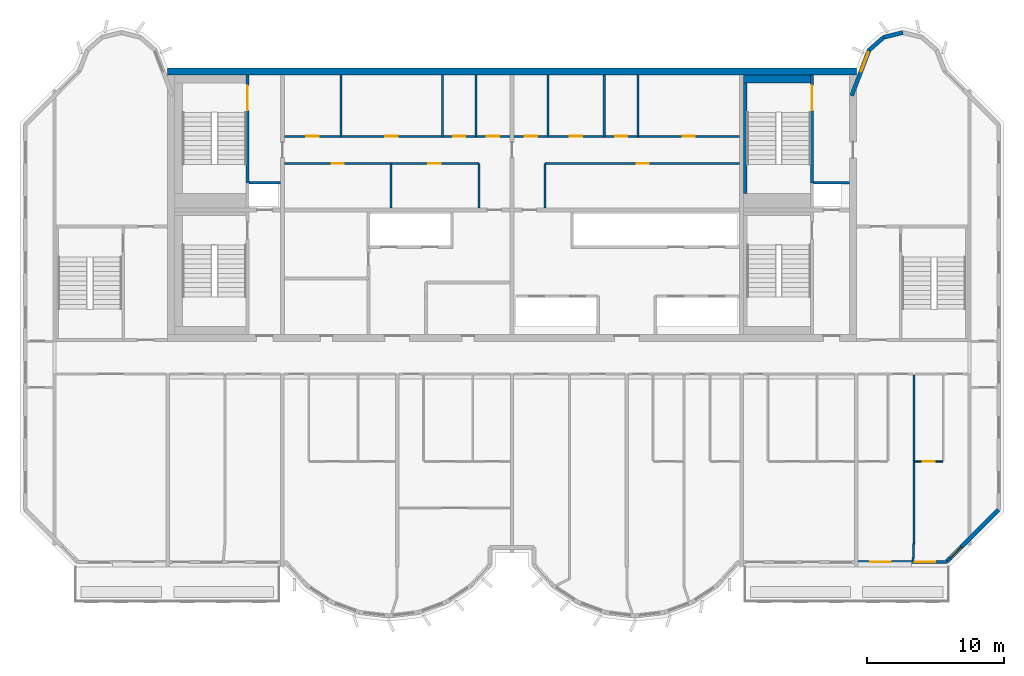
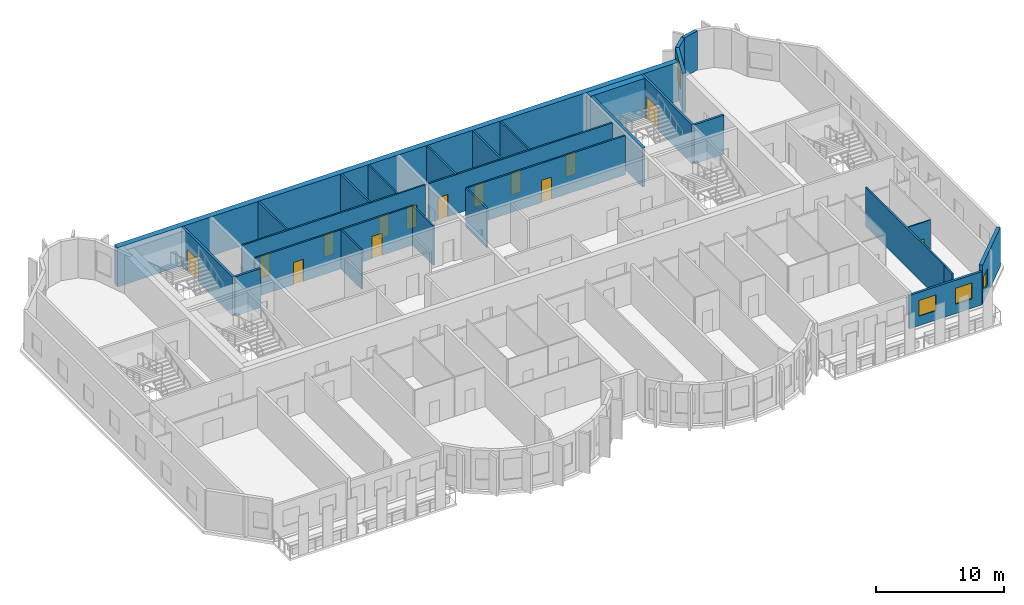
# One storey, part 7 of 12: 28 walls, 14 doors, 4 windows, 18 openings.
"""IFC4 building model written with IfcOpenShell, lengths in metres."""

from ifc_helpers import new_model, si_unit, direction, frame, frame_2d, origin, place, context, subcontext, project, spatial, rectangle, extrude, source, transform, mapped, material, layer, layer_set, type_object, element, fill, save


model = new_model("IFC4")

# Units and contexts
model_context = context("Model", 3, precision=1e-05, world=origin(), true_north=direction((0.0, 1.0)))
body_context = subcontext(model_context, "Body", "Model", "MODEL_VIEW")
ifc_project = project(units=[si_unit("LENGTHUNIT", "METRE"), si_unit("AREAUNIT", "SQUARE_METRE"), si_unit("VOLUMEUNIT", "CUBIC_METRE"), si_unit("PLANEANGLEUNIT", "RADIAN"), si_unit("MASSUNIT", "GRAM", prefix="KILO")], contexts=[model_context])

# Site, building, storey
site_placement = place(None, origin())
site = spatial("IfcSite", under=ifc_project, at=site_placement, CompositionType="ELEMENT")
building_placement = place(site_placement, origin())
building = spatial("IfcBuilding", under=site, at=building_placement, Name="Vanashikhar Sky Hotel", CompositionType="ELEMENT")
storey_placement = place(building_placement, frame((0.0, 0.0, 309.699951171875)))
storey = spatial("IfcBuildingStorey", under=building, at=storey_placement, Name="L74", CompositionType="ELEMENT", Elevation=309.699951171875)

# Wall
ifc_material_1 = material(Name="Concrete M50", Category="concrete")
ifc_layer_1 = layer(ifc_material_1, 0.5)
ifc_layer_set_1 = layer_set([ifc_layer_1], Name="RC core shell wall 500 Concrete M50")
wall_type_1 = type_object("IfcWallType", Name="RC core shell wall 500 Concrete M50", PredefinedType="SHEAR", material=ifc_layer_set_1)
shared_shape_1 = source(origin(), body_context, "Body", "SweptSolid", [
    extrude(rectangle(XDim=50.400146484375, YDim=0.5, at=frame_2d((25.2001953125, 0.0))), origin(), (0.0, 0.0, 1.0), 3.719970703125),
])
wall_1_placement = place(storey_placement, frame((25.199951171875, 41.75, 0.0), z_axis=(0.0, 0.0, 1.0), x_axis=(1.0, 0.0, 0.0)))
element("IfcWall", 1, at=wall_1_placement, inside=storey, type_object=wall_type_1, Name="KW-L74-KN", PredefinedType="SHEAR", context=body_context, shape_type="MappedRepresentation", body=[
    mapped(shared_shape_1, transform((0.0, 0.0, 0.0), scale=1.0)),
])

# Wall, openings, windows
ifc_layer_2 = layer(ifc_material_1, 0.199951171875)
ifc_layer_set_2 = layer_set([ifc_layer_2], Name="Front window wall 200")
wall_type_2 = type_object("IfcWallType", Name="Front window wall 200", PredefinedType="SOLIDWALL", material=ifc_layer_set_2)
shared_shape_2 = source(origin(), body_context, "Body", "SweptSolid", [
    extrude(rectangle(XDim=6.52978515625, YDim=0.199951171875, at=frame_2d((3.264892578125, 0.0))), origin(), (0.0, 0.0, 1.0), 3.170166015625),
])
wall_2_placement = place(storey_placement, frame((75.72509765625, 5.85009765625, 0.0), z_axis=(0.0, 0.0, 1.0), x_axis=(1.0, 0.0, 0.0)))
wall_2 = element("IfcWall", 2, at=wall_2_placement, inside=storey, type_object=wall_type_2, Name="Front window wall", PredefinedType="SOLIDWALL", context=body_context, shape_type="MappedRepresentation", body=[
    mapped(shared_shape_2, transform((0.0, 0.0, 0.0), scale=1.0)),
])
shared_shape_3 = source(origin(), body_context, "Body", "SweptSolid", [
    extrude(rectangle(XDim=1.5, YDim=1.5, at=frame_2d((0.75, 0.75))), frame((0.0, 0.10986328125, 0.0), z_axis=(0.0, -1.0, 0.0), x_axis=(1.0, 0.0, 0.0)), (0.0, 0.0, 1.0), 0.219970703125),
])
opening_1_placement = place(wall_2_placement, frame((0.882568359375, 0.0, 0.89990234375)))
opening_1 = element("IfcOpeningElement", 3, at=opening_1_placement, cuts=wall_2, Name="Opening WN-1", PredefinedType="OPENING", context=body_context, shape_type="MappedRepresentation", body=[
    mapped(shared_shape_3, transform((0.0, 0.0, 0.0), scale=1.0)),
])
opening_2_placement = place(wall_2_placement, frame((4.1474609375, 0.0, 0.89990234375)))
opening_2 = element("IfcOpeningElement", 4, at=opening_2_placement, cuts=wall_2, Name="Opening WN-1", PredefinedType="OPENING", context=body_context, shape_type="MappedRepresentation", body=[
    mapped(shared_shape_3, transform((0.0, 0.0, 0.0), scale=1.0)),
])
ifc_material_2 = material(Name="Glass", Category="glass")
window_type_1 = type_object("IfcWindowType", Name="Window 1500 x 1500", PartitioningType="SINGLE_PANEL", PredefinedType="WINDOW", material=ifc_material_2)
shared_shape_4 = source(origin(), body_context, "Body", "SweptSolid", [
    extrude(rectangle(XDim=1.5, YDim=1.5, at=frame_2d((0.75, 0.75))), frame((0.0, 0.030029296875, 0.0), z_axis=(0.0, -1.0, 0.0), x_axis=(1.0, 0.0, 0.0)), (0.0, 0.0, 1.0), 0.06005859375),
])
window_1_placement = place(opening_1_placement, origin())
window_1 = element("IfcWindow", 5, at=window_1_placement, inside=storey, type_object=window_type_1, Name="Window WN-1", OverallHeight=1.5, OverallWidth=1.5, PartitioningType="SINGLE_PANEL", PredefinedType="WINDOW", context=body_context, shape_type="MappedRepresentation", body=[
    mapped(shared_shape_4, transform((0.0, 0.0, 0.0), scale=1.0)),
])
fill(opening_1, window_1)
window_2_placement = place(opening_2_placement, origin())
window_2 = element("IfcWindow", 6, at=window_2_placement, inside=storey, type_object=window_type_1, Name="Window WN-1", OverallHeight=1.5, OverallWidth=1.5, PartitioningType="SINGLE_PANEL", PredefinedType="WINDOW", context=body_context, shape_type="MappedRepresentation", body=[
    mapped(shared_shape_4, transform((0.0, 0.0, 0.0), scale=1.0)),
])
fill(opening_2, window_2)

# Wall, opening, window
ifc_layer_3 = layer(ifc_material_1, 0.300048828125)
ifc_layer_set_3 = layer_set([ifc_layer_3], Name="Lobe wall 300")
wall_type_3 = type_object("IfcWallType", Name="Lobe wall 300", PredefinedType="SOLIDWALL", material=ifc_layer_set_3)
shared_shape_5 = source(origin(), body_context, "Body", "SweptSolid", [
    extrude(rectangle(XDim=5.32568359375, YDim=0.300048828125, at=frame_2d((2.662841796875, 0.0))), origin(), (0.0, 0.0, 1.0), 3.719970703125),
])
wall_3_placement = place(storey_placement, frame((82.234375, 5.89990234375, 0.0), z_axis=(0.0, 0.0, 1.0), x_axis=(0.707083859269, 0.707129702361, 0.0)))
wall_3 = element("IfcWall", 7, at=wall_3_placement, inside=storey, type_object=wall_type_3, Name="Corner wall", PredefinedType="SOLIDWALL", context=body_context, shape_type="MappedRepresentation", body=[
    mapped(shared_shape_5, transform((0.0, 0.0, 0.0), scale=1.0)),
])
shared_shape_6 = source(origin(), body_context, "Body", "SweptSolid", [
    extrude(rectangle(XDim=1.199951171875, YDim=1.5, at=frame_2d((0.60009765625, 0.75))), frame((0.0, 0.16015625, 0.0), z_axis=(0.0, -1.0, 0.0), x_axis=(1.0, 0.0, 0.0)), (0.0, 0.0, 1.0), 0.320068359375),
])
opening_3_placement = place(wall_3_placement, frame((0.31005859375, 0.0, 0.89990234375)))
opening_3 = element("IfcOpeningElement", 8, at=opening_3_placement, cuts=wall_3, Name="Opening WN-3", PredefinedType="OPENING", context=body_context, shape_type="MappedRepresentation", body=[
    mapped(shared_shape_6, transform((0.0, 0.0, 0.0), scale=1.0)),
])
window_type_2 = type_object("IfcWindowType", Name="Corridor end window 1200 x 1500", PartitioningType="SINGLE_PANEL", PredefinedType="WINDOW", material=ifc_material_2)
shared_shape_7 = source(origin(), body_context, "Body", "SweptSolid", [
    extrude(rectangle(XDim=1.199951171875, YDim=1.5, at=frame_2d((0.60009765625, 0.75))), frame((0.0, 0.030029296875, 0.0), z_axis=(0.0, -1.0, 0.0), x_axis=(1.0, 0.0, 0.0)), (0.0, 0.0, 1.0), 0.06005859375),
])
window_3_placement = place(opening_3_placement, origin())
window_3 = element("IfcWindow", 9, at=window_3_placement, inside=storey, type_object=window_type_2, Name="Window WN-3", OverallHeight=1.5, OverallWidth=1.199951171875, PartitioningType="SINGLE_PANEL", PredefinedType="WINDOW", context=body_context, shape_type="MappedRepresentation", body=[
    mapped(shared_shape_7, transform((0.0, 0.0, 0.0), scale=1.0)),
])
fill(opening_3, window_3)

# Walls
shared_shape_8 = source(origin(), body_context, "Body", "SweptSolid", [
    extrude(rectangle(XDim=1.43994140625, YDim=0.300048828125, at=frame_2d((0.719970703125, 0.0))), origin(), (0.0, 0.0, 1.0), 3.719970703125),
])
wall_4_placement = place(storey_placement, frame((77.602783203125, 44.2451171875, 0.0), z_axis=(0.0, 0.0, 1.0), x_axis=(-0.74957555648, -0.661918790432, 0.0)))
element("IfcWall", 10, at=wall_4_placement, inside=storey, type_object=wall_type_3, Name="Lobe wall", PredefinedType="SOLIDWALL", context=body_context, shape_type="MappedRepresentation", body=[
    mapped(shared_shape_8, transform((0.0, 0.0, 0.0), scale=1.0)),
])
shared_shape_9 = source(origin(), body_context, "Body", "SweptSolid", [
    extrude(rectangle(XDim=1.438720703125, YDim=0.300048828125, at=frame_2d((0.71923828125, 0.0))), origin(), (0.0, 0.0, 1.0), 3.719970703125),
])
wall_5_placement = place(storey_placement, frame((79.0, 44.588134765625, 0.0), z_axis=(0.0, 0.0, 1.0), x_axis=(-0.971161932466, -0.238420848351, 0.0)))
element("IfcWall", 11, at=wall_5_placement, inside=storey, type_object=wall_type_3, Name="Lobe wall", PredefinedType="SOLIDWALL", context=body_context, shape_type="MappedRepresentation", body=[
    mapped(shared_shape_9, transform((0.0, 0.0, 0.0), scale=1.0)),
])

# Wall, opening, window
shared_shape_10 = source(origin(), body_context, "Body", "SweptSolid", [
    extrude(rectangle(XDim=3.55908203125, YDim=0.300048828125, at=frame_2d((1.779541015625, 0.0))), origin(), (0.0, 0.0, 1.0), 3.719970703125),
])
wall_6_placement = place(storey_placement, frame((76.5234375, 43.2919921875, 0.0), z_axis=(0.0, 0.0, 1.0), x_axis=(-0.35779745313, -0.933799219604, 0.0)))
wall_6 = element("IfcWall", 12, at=wall_6_placement, inside=storey, type_object=wall_type_3, Name="Lobe wall", PredefinedType="SOLIDWALL", context=body_context, shape_type="MappedRepresentation", body=[
    mapped(shared_shape_10, transform((0.0, 0.0, 0.0), scale=1.0)),
])
shared_shape_11 = source(origin(), body_context, "Body", "SweptSolid", [
    extrude(rectangle(XDim=1.5, YDim=2.0, at=frame_2d((0.75, 1.0))), frame((0.0, 0.16015625, 0.0), z_axis=(0.0, -1.0, 0.0), x_axis=(1.0, 0.0, 0.0)), (0.0, 0.0, 1.0), 0.320068359375),
])
opening_4_placement = place(wall_6_placement, frame((0.156005859375, 0.0, 0.89990234375)))
opening_4 = element("IfcOpeningElement", 13, at=opening_4_placement, cuts=wall_6, Name="Opening WN-2", PredefinedType="OPENING", context=body_context, shape_type="MappedRepresentation", body=[
    mapped(shared_shape_11, transform((0.0, 0.0, 0.0), scale=1.0)),
])
window_type_3 = type_object("IfcWindowType", Name="Lobe window 1500 x 2000", PartitioningType="SINGLE_PANEL", PredefinedType="WINDOW", material=ifc_material_2)
shared_shape_12 = source(origin(), body_context, "Body", "SweptSolid", [
    extrude(rectangle(XDim=1.5, YDim=2.0, at=frame_2d((0.75, 1.0))), frame((0.0, 0.030029296875, 0.0), z_axis=(0.0, -1.0, 0.0), x_axis=(1.0, 0.0, 0.0)), (0.0, 0.0, 1.0), 0.06005859375),
])
window_4_placement = place(opening_4_placement, origin())
window_4 = element("IfcWindow", 14, at=window_4_placement, inside=storey, type_object=window_type_3, Name="Window WN-2", OverallHeight=2.0, OverallWidth=1.5, PartitioningType="SINGLE_PANEL", PredefinedType="WINDOW", context=body_context, shape_type="MappedRepresentation", body=[
    mapped(shared_shape_12, transform((0.0, 0.0, 0.0), scale=1.0)),
])
fill(opening_4, window_4)

# Walls
ifc_material_3 = material(Name="Gypsum board partition")
ifc_layer_4 = layer(ifc_material_3, 0.14990234375)
ifc_layer_set_4 = layer_set([ifc_layer_4], Name="Service partition 150")
wall_type_4 = type_object("IfcWallType", Name="Service partition 150", PredefinedType="PARTITIONING", material=ifc_layer_set_4)
shared_shape_13 = source(origin(), body_context, "Body", "SweptSolid", [
    extrude(rectangle(XDim=3.25, YDim=0.14990234375, at=frame_2d((1.625, 0.0))), origin(), (0.0, 0.0, 1.0), 3.719970703125),
])
for number, where, z_axis, x_axis, name in (
    (15, (48.0, 31.75, 0.0), (0.0, 0.0, 1.0), (0.0, 1.0, 0.0), "Service partition 150"),
    (16, (41.5458984375, 31.75, 0.0), (0.0, 0.0, 1.0), (0.0, 1.0, 0.0), "Service partition 150"),
    (17, (52.800048828125, 31.75, 0.0), (0.0, 0.0, 1.0), (0.0, 1.0, 0.0), "Service partition 150"),
):
    element("IfcWall", number, at=place(storey_placement, frame(where, z_axis=z_axis, x_axis=x_axis)), inside=storey, type_object=wall_type_4, Name=name, PredefinedType="PARTITIONING", context=body_context, shape_type="MappedRepresentation", body=[
        mapped(shared_shape_13, transform((0.0, 0.0, 0.0), scale=1.0)),
    ])

# Wall, openings, doors
shared_shape_14 = source(origin(), body_context, "Body", "SweptSolid", [
    extrude(rectangle(XDim=14.25, YDim=0.14990234375, at=frame_2d((7.125, 0.0))), origin(), (0.0, 0.0, 1.0), 3.719970703125),
])
wall_7_placement = place(storey_placement, frame((33.75, 35.0, 0.0), z_axis=(0.0, 0.0, 1.0), x_axis=(1.0, 0.0, 0.0)))
wall_7 = element("IfcWall", 18, at=wall_7_placement, inside=storey, type_object=wall_type_4, Name="Service partition 150", PredefinedType="PARTITIONING", context=body_context, shape_type="MappedRepresentation", body=[
    mapped(shared_shape_14, transform((0.0, 0.0, 0.0), scale=1.0)),
])
shared_shape_15 = source(origin(), body_context, "Body", "SweptSolid", [
    extrude(rectangle(XDim=0.89990234375, YDim=2.10009765625, at=frame_2d((0.449951171875, 1.050048828125))), frame((0.0, 0.0849609375, 0.0), z_axis=(0.0, -1.0, 0.0), x_axis=(1.0, 0.0, 0.0)), (0.0, 0.0, 1.0), 0.169921875),
])
opening_5_placement = place(wall_7_placement, frame((3.447998046875, 0.0, 0.0)))
opening_5 = element("IfcOpeningElement", 19, at=opening_5_placement, cuts=wall_7, Name="Opening DC-4-A", PredefinedType="OPENING", context=body_context, shape_type="MappedRepresentation", body=[
    mapped(shared_shape_15, transform((0.0, 0.0, 0.0), scale=1.0)),
])
opening_6_placement = place(wall_7_placement, frame((10.535888671875, 0.0, 0.0)))
opening_6 = element("IfcOpeningElement", 20, at=opening_6_placement, cuts=wall_7, Name="Opening DC-4-A", PredefinedType="OPENING", context=body_context, shape_type="MappedRepresentation", body=[
    mapped(shared_shape_15, transform((0.0, 0.0, 0.0), scale=1.0)),
])
ifc_material_4 = material(Name="Steel", Category="steel")
door_type_1 = type_object("IfcDoorType", Name="Service door 900 FD60", OperationType="NOTDEFINED", PredefinedType="DOOR", material=ifc_material_4)
shared_shape_16 = source(origin(), body_context, "Body", "SweptSolid", [
    extrude(rectangle(XDim=0.89990234375, YDim=2.10009765625, at=frame_2d((0.449951171875, 1.050048828125))), frame((0.0, 0.02490234375, 0.0), z_axis=(0.0, -1.0, 0.0), x_axis=(1.0, 0.0, 0.0)), (0.0, 0.0, 1.0), 0.050048828125),
])
door_1_placement = place(opening_5_placement, origin())
door_1 = element("IfcDoor", 21, at=door_1_placement, inside=storey, type_object=door_type_1, Name="Service door 900 FD60", OperationType="SINGLE_SWING_RIGHT", OverallHeight=2.10009765625, OverallWidth=0.89990234375, PredefinedType="DOOR", context=body_context, shape_type="MappedRepresentation", body=[
    mapped(shared_shape_16, transform((0.0, 0.0, 0.0), scale=1.0)),
])
fill(opening_5, door_1)
door_2_placement = place(opening_6_placement, origin())
door_2 = element("IfcDoor", 22, at=door_2_placement, inside=storey, type_object=door_type_1, Name="Service door 900 FD60", OperationType="SINGLE_SWING_RIGHT", OverallHeight=2.10009765625, OverallWidth=0.89990234375, PredefinedType="DOOR", context=body_context, shape_type="MappedRepresentation", body=[
    mapped(shared_shape_16, transform((0.0, 0.0, 0.0), scale=1.0)),
])
fill(opening_6, door_2)

# Wall, opening, door
wall_8_placement = place(storey_placement, frame((67.050048828125, 35.0, 0.0), z_axis=(0.0, 0.0, 1.0), x_axis=(-1.0, 0.0, 0.0)))
wall_8 = element("IfcWall", 23, at=wall_8_placement, inside=storey, type_object=wall_type_4, Name="Service partition 150", PredefinedType="PARTITIONING", context=body_context, shape_type="MappedRepresentation", body=[
    mapped(shared_shape_14, transform((0.0, 0.0, 0.0), scale=1.0)),
])
opening_7_placement = place(wall_8_placement, frame((6.637939453125, 0.0, 0.0)))
opening_7 = element("IfcOpeningElement", 24, at=opening_7_placement, cuts=wall_8, Name="Opening DC-4-A", PredefinedType="OPENING", context=body_context, shape_type="MappedRepresentation", body=[
    mapped(shared_shape_15, transform((0.0, 0.0, 0.0), scale=1.0)),
])
door_3_placement = place(opening_7_placement, origin())
door_3 = element("IfcDoor", 25, at=door_3_placement, inside=storey, type_object=door_type_1, Name="Service door 900 FD60", OperationType="SINGLE_SWING_RIGHT", OverallHeight=2.10009765625, OverallWidth=0.89990234375, PredefinedType="DOOR", context=body_context, shape_type="MappedRepresentation", body=[
    mapped(shared_shape_16, transform((0.0, 0.0, 0.0), scale=1.0)),
])
fill(opening_7, door_3)

# Wall, openings, doors
shared_shape_17 = source(origin(), body_context, "Body", "SweptSolid", [
    extrude(rectangle(XDim=16.5, YDim=0.14990234375, at=frame_2d((8.25, 0.0))), origin(), (0.0, 0.0, 1.0), 3.719970703125),
])
wall_9_placement = place(storey_placement, frame((33.75, 37.0, 0.0), z_axis=(0.0, 0.0, 1.0), x_axis=(1.0, 0.0, 0.0)))
wall_9 = element("IfcWall", 26, at=wall_9_placement, inside=storey, type_object=wall_type_4, Name="Service partition 150", PredefinedType="PARTITIONING", context=body_context, shape_type="MappedRepresentation", body=[
    mapped(shared_shape_17, transform((0.0, 0.0, 0.0), scale=1.0)),
])
opening_8_placement = place(wall_9_placement, frame((1.612060546875, 0.0, 0.0)))
opening_8 = element("IfcOpeningElement", 27, at=opening_8_placement, cuts=wall_9, Name="Opening DC-4-A", PredefinedType="OPENING", context=body_context, shape_type="MappedRepresentation", body=[
    mapped(shared_shape_15, transform((0.0, 0.0, 0.0), scale=1.0)),
])
opening_9_placement = place(wall_9_placement, frame((7.386962890625, 0.0, 0.0)))
opening_9 = element("IfcOpeningElement", 28, at=opening_9_placement, cuts=wall_9, Name="Opening DC-4-A", PredefinedType="OPENING", context=body_context, shape_type="MappedRepresentation", body=[
    mapped(shared_shape_15, transform((0.0, 0.0, 0.0), scale=1.0)),
])
opening_10_placement = place(wall_9_placement, frame((12.3369140625, 0.0, 0.0)))
opening_10 = element("IfcOpeningElement", 29, at=opening_10_placement, cuts=wall_9, Name="Opening DC-4-A", PredefinedType="OPENING", context=body_context, shape_type="MappedRepresentation", body=[
    mapped(shared_shape_15, transform((0.0, 0.0, 0.0), scale=1.0)),
])
opening_11_placement = place(wall_9_placement, frame((14.81298828125, 0.0, 0.0)))
opening_11 = element("IfcOpeningElement", 30, at=opening_11_placement, cuts=wall_9, Name="Opening DC-4-A", PredefinedType="OPENING", context=body_context, shape_type="MappedRepresentation", body=[
    mapped(shared_shape_15, transform((0.0, 0.0, 0.0), scale=1.0)),
])
door_4_placement = place(opening_8_placement, origin())
door_4 = element("IfcDoor", 31, at=door_4_placement, inside=storey, type_object=door_type_1, Name="Service door 900 FD60", OperationType="SINGLE_SWING_RIGHT", OverallHeight=2.10009765625, OverallWidth=0.89990234375, PredefinedType="DOOR", context=body_context, shape_type="MappedRepresentation", body=[
    mapped(shared_shape_16, transform((0.0, 0.0, 0.0), scale=1.0)),
])
fill(opening_8, door_4)
door_5_placement = place(opening_9_placement, origin())
door_5 = element("IfcDoor", 32, at=door_5_placement, inside=storey, type_object=door_type_1, Name="Service door 900 FD60", OperationType="SINGLE_SWING_LEFT", OverallHeight=2.10009765625, OverallWidth=0.89990234375, PredefinedType="DOOR", context=body_context, shape_type="MappedRepresentation", body=[
    mapped(shared_shape_16, transform((0.0, 0.0, 0.0), scale=1.0)),
])
fill(opening_9, door_5)
door_6_placement = place(opening_10_placement, origin())
door_6 = element("IfcDoor", 33, at=door_6_placement, inside=storey, type_object=door_type_1, Name="Service door 900 FD60", OperationType="SINGLE_SWING_LEFT", OverallHeight=2.10009765625, OverallWidth=0.89990234375, PredefinedType="DOOR", context=body_context, shape_type="MappedRepresentation", body=[
    mapped(shared_shape_16, transform((0.0, 0.0, 0.0), scale=1.0)),
])
fill(opening_10, door_6)
door_7_placement = place(opening_11_placement, origin())
door_7 = element("IfcDoor", 34, at=door_7_placement, inside=storey, type_object=door_type_1, Name="Service door 900 FD60", OperationType="SINGLE_SWING_LEFT", OverallHeight=2.10009765625, OverallWidth=0.89990234375, PredefinedType="DOOR", context=body_context, shape_type="MappedRepresentation", body=[
    mapped(shared_shape_16, transform((0.0, 0.0, 0.0), scale=1.0)),
])
fill(opening_11, door_7)

wall_10_placement = place(storey_placement, frame((67.050048828125, 37.0, 0.0), z_axis=(0.0, 0.0, 1.0), x_axis=(-1.0, 0.0, 0.0)))
wall_10 = element("IfcWall", 35, at=wall_10_placement, inside=storey, type_object=wall_type_4, Name="Service partition 150", PredefinedType="PARTITIONING", context=body_context, shape_type="MappedRepresentation", body=[
    mapped(shared_shape_17, transform((0.0, 0.0, 0.0), scale=1.0)),
])
opening_12_placement = place(wall_10_placement, frame((3.262939453125, 0.0, 0.0)))
opening_12 = element("IfcOpeningElement", 36, at=opening_12_placement, cuts=wall_10, Name="Opening DC-4-A", PredefinedType="OPENING", context=body_context, shape_type="MappedRepresentation", body=[
    mapped(shared_shape_15, transform((0.0, 0.0, 0.0), scale=1.0)),
])
opening_13_placement = place(wall_10_placement, frame((8.2119140625, 0.0, 0.0)))
opening_13 = element("IfcOpeningElement", 37, at=opening_13_placement, cuts=wall_10, Name="Opening DC-4-A", PredefinedType="OPENING", context=body_context, shape_type="MappedRepresentation", body=[
    mapped(shared_shape_15, transform((0.0, 0.0, 0.0), scale=1.0)),
])
opening_14_placement = place(wall_10_placement, frame((11.512939453125, 0.0, 0.0)))
opening_14 = element("IfcOpeningElement", 38, at=opening_14_placement, cuts=wall_10, Name="Opening DC-4-A", PredefinedType="OPENING", context=body_context, shape_type="MappedRepresentation", body=[
    mapped(shared_shape_15, transform((0.0, 0.0, 0.0), scale=1.0)),
])
opening_15_placement = place(wall_10_placement, frame((14.81298828125, 0.0, 0.0)))
opening_15 = element("IfcOpeningElement", 39, at=opening_15_placement, cuts=wall_10, Name="Opening DC-4-A", PredefinedType="OPENING", context=body_context, shape_type="MappedRepresentation", body=[
    mapped(shared_shape_15, transform((0.0, 0.0, 0.0), scale=1.0)),
])
door_8_placement = place(opening_12_placement, origin())
door_8 = element("IfcDoor", 40, at=door_8_placement, inside=storey, type_object=door_type_1, Name="Service door 900 FD60", OperationType="SINGLE_SWING_RIGHT", OverallHeight=2.10009765625, OverallWidth=0.89990234375, PredefinedType="DOOR", context=body_context, shape_type="MappedRepresentation", body=[
    mapped(shared_shape_16, transform((0.0, 0.0, 0.0), scale=1.0)),
])
fill(opening_12, door_8)
door_9_placement = place(opening_13_placement, origin())
door_9 = element("IfcDoor", 41, at=door_9_placement, inside=storey, type_object=door_type_1, Name="Service door 900 FD60", OperationType="SINGLE_SWING_RIGHT", OverallHeight=2.10009765625, OverallWidth=0.89990234375, PredefinedType="DOOR", context=body_context, shape_type="MappedRepresentation", body=[
    mapped(shared_shape_16, transform((0.0, 0.0, 0.0), scale=1.0)),
])
fill(opening_13, door_9)
door_10_placement = place(opening_14_placement, origin())
door_10 = element("IfcDoor", 42, at=door_10_placement, inside=storey, type_object=door_type_1, Name="Service door 900 FD60", OperationType="SINGLE_SWING_RIGHT", OverallHeight=2.10009765625, OverallWidth=0.89990234375, PredefinedType="DOOR", context=body_context, shape_type="MappedRepresentation", body=[
    mapped(shared_shape_16, transform((0.0, 0.0, 0.0), scale=1.0)),
])
fill(opening_14, door_10)
door_11_placement = place(opening_15_placement, origin())
door_11 = element("IfcDoor", 43, at=door_11_placement, inside=storey, type_object=door_type_1, Name="Service door 900 FD60", OperationType="SINGLE_SWING_RIGHT", OverallHeight=2.10009765625, OverallWidth=0.89990234375, PredefinedType="DOOR", context=body_context, shape_type="MappedRepresentation", body=[
    mapped(shared_shape_16, transform((0.0, 0.0, 0.0), scale=1.0)),
])
fill(opening_15, door_11)

# Walls
shared_shape_18 = source(origin(), body_context, "Body", "SweptSolid", [
    extrude(rectangle(XDim=4.5, YDim=0.14990234375, at=frame_2d((2.25, 0.0))), origin(), (0.0, 0.0, 1.0), 3.719970703125),
])
for number, where, z_axis, x_axis, name in (
    (44, (37.875, 37.0, 0.0), (0.0, 0.0, 1.0), (0.0, 1.0, 0.0), "Service partition 150"),
    (45, (45.300048828125, 37.0, 0.0), (0.0, 0.0, 1.0), (0.0, 1.0, 0.0), "Service partition 150"),
    (46, (47.77490234375, 37.0, 0.0), (0.0, 0.0, 1.0), (0.0, 1.0, 0.0), "Service partition 150"),
    (47, (59.625, 37.0, 0.0), (0.0, 0.0, 1.0), (0.0, 1.0, 0.0), "Service partition 150"),
    (48, (57.14990234375, 37.0, 0.0), (0.0, 0.0, 1.0), (0.0, 1.0, 0.0), "Service partition 150"),
    (49, (53.02490234375, 37.0, 0.0), (0.0, 0.0, 1.0), (0.0, 1.0, 0.0), "Service partition 150"),
):
    element("IfcWall", number, at=place(storey_placement, frame(where, z_axis=z_axis, x_axis=x_axis)), inside=storey, type_object=wall_type_4, Name=name, PredefinedType="PARTITIONING", context=body_context, shape_type="MappedRepresentation", body=[
        mapped(shared_shape_18, transform((0.0, 0.0, 0.0), scale=1.0)),
    ])
ifc_material_5 = material(Name="Concrete M40", Category="concrete")
ifc_layer_5 = layer(ifc_material_5, 0.199951171875)
ifc_layer_set_5 = layer_set([ifc_layer_5], Name="Shaft wall 200")
wall_type_5 = type_object("IfcWallType", Name="Shaft wall 200", PredefinedType="SOLIDWALL", material=ifc_layer_set_5)
shared_shape_19 = source(origin(), body_context, "Body", "SweptSolid", [
    extrude(rectangle(XDim=2.300048828125, YDim=0.199951171875, at=frame_2d((1.14990234375, 0.0))), origin(), (0.0, 0.0, 1.0), 3.719970703125),
])
wall_11_placement = place(storey_placement, frame((31.14990234375, 33.60009765625, 0.0), z_axis=(0.0, 0.0, 1.0), x_axis=(1.0, 0.0, 0.0)))
element("IfcWall", 50, at=wall_11_placement, inside=storey, type_object=wall_type_5, Name="Shaft wall 200", PredefinedType="SOLIDWALL", context=body_context, shape_type="MappedRepresentation", body=[
    mapped(shared_shape_19, transform((0.0, 0.0, 0.0), scale=1.0)),
])

# Wall, opening, door
ifc_layer_6 = layer(ifc_material_1, 0.199951171875)
ifc_layer_set_6 = layer_set([ifc_layer_6], Name="Stair wall 200")
wall_type_6 = type_object("IfcWallType", Name="Stair wall 200", PredefinedType="SOLIDWALL", material=ifc_layer_set_6)
shared_shape_20 = source(origin(), body_context, "Body", "SweptSolid", [
    extrude(rectangle(XDim=7.89990234375, YDim=0.199951171875, at=frame_2d((3.949951171875, 0.0))), origin(), (0.0, 0.0, 1.0), 3.719970703125),
])
wall_12_placement = place(storey_placement, frame((31.050048828125, 33.60009765625, 0.0), z_axis=(0.0, 0.0, 1.0), x_axis=(0.0, 1.0, 0.0)))
wall_12 = element("IfcWall", 51, at=wall_12_placement, inside=storey, type_object=wall_type_6, Name="Stair wall 200", PredefinedType="SOLIDWALL", context=body_context, shape_type="MappedRepresentation", body=[
    mapped(shared_shape_20, transform((0.0, 0.0, 0.0), scale=1.0)),
])
shared_shape_21 = source(origin(), body_context, "Body", "SweptSolid", [
    extrude(rectangle(XDim=1.800048828125, YDim=2.10009765625, at=frame_2d((0.89990234375, 1.050048828125))), frame((0.0, 0.10986328125, 0.0), z_axis=(0.0, -1.0, 0.0), x_axis=(1.0, 0.0, 0.0)), (0.0, 0.0, 1.0), 0.219970703125),
])
opening_16_placement = place(wall_12_placement, frame((5.300048828125, 0.0, 0.0)))
opening_16 = element("IfcOpeningElement", 52, at=opening_16_placement, cuts=wall_12, Name="Opening DC-1-A", PredefinedType="OPENING", context=body_context, shape_type="MappedRepresentation", body=[
    mapped(shared_shape_21, transform((0.0, 0.0, 0.0), scale=1.0)),
])
door_type_2 = type_object("IfcDoorType", Name="Stair door 1800 FD120", OperationType="NOTDEFINED", PredefinedType="DOOR", material=ifc_material_4)
shared_shape_22 = source(origin(), body_context, "Body", "SweptSolid", [
    extrude(rectangle(XDim=1.800048828125, YDim=2.10009765625, at=frame_2d((0.89990234375, 1.050048828125))), frame((0.0, 0.02490234375, 0.0), z_axis=(0.0, -1.0, 0.0), x_axis=(1.0, 0.0, 0.0)), (0.0, 0.0, 1.0), 0.050048828125),
])
door_12_placement = place(opening_16_placement, origin())
door_12 = element("IfcDoor", 53, at=door_12_placement, inside=storey, type_object=door_type_2, Name="Stair door 1800 FD120", OperationType="SINGLE_SWING_RIGHT", OverallHeight=2.10009765625, OverallWidth=1.800048828125, PredefinedType="DOOR", context=body_context, shape_type="MappedRepresentation", body=[
    mapped(shared_shape_22, transform((0.0, 0.0, 0.0), scale=1.0)),
])
fill(opening_16, door_12)

wall_13_placement = place(storey_placement, frame((72.35009765625, 33.60009765625, 0.0), z_axis=(0.0, 0.0, 1.0), x_axis=(0.0, 1.0, 0.0)))
wall_13 = element("IfcWall", 54, at=wall_13_placement, inside=storey, type_object=wall_type_6, Name="Stair wall 200", PredefinedType="SOLIDWALL", context=body_context, shape_type="MappedRepresentation", body=[
    mapped(shared_shape_20, transform((0.0, 0.0, 0.0), scale=1.0)),
])
opening_17_placement = place(wall_13_placement, frame((5.300048828125, 0.0, 0.0)))
opening_17 = element("IfcOpeningElement", 55, at=opening_17_placement, cuts=wall_13, Name="Opening DC-1-A", PredefinedType="OPENING", context=body_context, shape_type="MappedRepresentation", body=[
    mapped(shared_shape_21, transform((0.0, 0.0, 0.0), scale=1.0)),
])
door_13_placement = place(opening_17_placement, origin())
door_13 = element("IfcDoor", 56, at=door_13_placement, inside=storey, type_object=door_type_2, Name="Stair door 1800 FD120", OperationType="SINGLE_SWING_RIGHT", OverallHeight=2.10009765625, OverallWidth=1.800048828125, PredefinedType="DOOR", context=body_context, shape_type="MappedRepresentation", body=[
    mapped(shared_shape_22, transform((0.0, 0.0, 0.0), scale=1.0)),
])
fill(opening_17, door_13)

# Walls
shared_shape_23 = source(origin(), body_context, "Body", "SweptSolid", [
    extrude(rectangle(XDim=2.650146484375, YDim=0.199951171875, at=frame_2d((1.3251953125, 0.0))), origin(), (0.0, 0.0, 1.0), 3.719970703125),
])
wall_14_placement = place(storey_placement, frame((72.449951171875, 33.60009765625, 0.0), z_axis=(0.0, 0.0, 1.0), x_axis=(1.0, 0.0, 0.0)))
element("IfcWall", 57, at=wall_14_placement, inside=storey, type_object=wall_type_5, Name="Shaft wall 200", PredefinedType="SOLIDWALL", context=body_context, shape_type="MappedRepresentation", body=[
    mapped(shared_shape_23, transform((0.0, 0.0, 0.0), scale=1.0)),
])
ifc_layer_7 = layer(ifc_material_1, 0.60009765625)
ifc_layer_set_7 = layer_set([ifc_layer_7], Name="Stair infill wall 600")
wall_type_7 = type_object("IfcWallType", Name="Stair infill wall 600", PredefinedType="SOLIDWALL", material=ifc_layer_set_7)
shared_shape_24 = source(origin(), body_context, "Body", "SweptSolid", [
    extrude(rectangle(XDim=4.89990234375, YDim=0.60009765625, at=frame_2d((2.449951171875, 0.0))), origin(), (0.0, 0.0, 1.0), 3.719970703125),
])
wall_15_placement = place(storey_placement, frame((67.35009765625, 41.199951171875, 0.0), z_axis=(0.0, 0.0, 1.0), x_axis=(1.0, 0.0, 0.0)))
element("IfcWall", 58, at=wall_15_placement, inside=storey, type_object=wall_type_7, Name="Stair infill wall 600", PredefinedType="SOLIDWALL", context=body_context, shape_type="MappedRepresentation", body=[
    mapped(shared_shape_24, transform((0.0, 0.0, 0.0), scale=1.0)),
])
ifc_layer_8 = layer(ifc_material_1, 0.25)
ifc_layer_set_8 = layer_set([ifc_layer_8], Name="Stair infill wall 250")
wall_type_8 = type_object("IfcWallType", Name="Stair infill wall 250", PredefinedType="SOLIDWALL", material=ifc_layer_set_8)
shared_shape_25 = source(origin(), body_context, "Body", "SweptSolid", [
    extrude(rectangle(XDim=8.099853515625, YDim=0.25, at=frame_2d((4.0498046875, 0.0))), origin(), (0.0, 0.0, 1.0), 3.719970703125),
])
wall_16_placement = place(storey_placement, frame((67.47509765625, 32.800048828125, 0.0), z_axis=(0.0, 0.0, 1.0), x_axis=(0.0, 1.0, 0.0)))
element("IfcWall", 59, at=wall_16_placement, inside=storey, type_object=wall_type_8, Name="Stair infill wall 250", PredefinedType="SOLIDWALL", context=body_context, shape_type="MappedRepresentation", body=[
    mapped(shared_shape_25, transform((0.0, 0.0, 0.0), scale=1.0)),
])
ifc_material_6 = material(Name="Gypsum plasterboard partition")
ifc_layer_9 = layer(ifc_material_6, 0.14990234375)
ifc_layer_set_9 = layer_set([ifc_layer_9], Name="Corridor and demising partition 150")
wall_type_9 = type_object("IfcWallType", Name="Corridor and demising partition 150", PredefinedType="PARTITIONING", material=ifc_layer_set_9)
shared_shape_26 = source(origin(), body_context, "Body", "SweptSolid", [
    extrude(rectangle(XDim=12.27490234375, YDim=0.14990234375, at=frame_2d((6.137451171875, 0.0))), origin(), (0.0, 0.0, 1.0), 3.719970703125),
])
wall_17_placement = place(storey_placement, frame((79.800048828125, 7.25, 0.0), z_axis=(0.0, 0.0, 1.0), x_axis=(0.0, 1.0, 0.0)))
element("IfcWall", 60, at=wall_17_placement, inside=storey, type_object=wall_type_9, Name="W-L74-PW037", PredefinedType="PARTITIONING", context=body_context, shape_type="MappedRepresentation", body=[
    mapped(shared_shape_26, transform((0.0, 0.0, 0.0), scale=1.0)),
])

# Wall, opening, door
ifc_layer_10 = layer(ifc_material_6, 0.10009765625)
ifc_layer_set_10 = layer_set([ifc_layer_10], Name="Wet room partition 100")
wall_type_10 = type_object("IfcWallType", Name="Wet room partition 100", PredefinedType="PARTITIONING", material=ifc_layer_set_10)
shared_shape_27 = source(origin(), body_context, "Body", "SweptSolid", [
    extrude(rectangle(XDim=2.02490234375, YDim=0.10009765625, at=frame_2d((1.012451171875, 0.0))), origin(), (0.0, 0.0, 1.0), 3.719970703125),
])
wall_18_placement = place(storey_placement, frame((79.875, 13.199951171875, 0.0), z_axis=(0.0, 0.0, 1.0), x_axis=(1.0, 0.0, 0.0)))
wall_18 = element("IfcWall", 61, at=wall_18_placement, inside=storey, type_object=wall_type_10, Name="W-L74-PW035", PredefinedType="PARTITIONING", context=body_context, shape_type="MappedRepresentation", body=[
    mapped(shared_shape_27, transform((0.0, 0.0, 0.0), scale=1.0)),
])
shared_shape_28 = source(origin(), body_context, "Body", "SweptSolid", [
    extrude(rectangle(XDim=0.89990234375, YDim=2.10009765625, at=frame_2d((0.449951171875, 1.050048828125))), frame((0.0, 0.06005859375, 0.0), z_axis=(0.0, -1.0, 0.0), x_axis=(1.0, 0.0, 0.0)), (0.0, 0.0, 1.0), 0.1201171875),
])
opening_18_placement = place(wall_18_placement, frame((0.56201171875, 0.0, 0.0)))
opening_18 = element("IfcOpeningElement", 62, at=opening_18_placement, cuts=wall_18, Name="Opening D-02", PredefinedType="OPENING", context=body_context, shape_type="MappedRepresentation", body=[
    mapped(shared_shape_28, transform((0.0, 0.0, 0.0), scale=1.0)),
])
ifc_material_7 = material(Name="Timber door", Category="wood")
door_type_3 = type_object("IfcDoorType", Name="Internal door 900", OperationType="NOTDEFINED", PredefinedType="DOOR", material=ifc_material_7)
door_14_placement = place(opening_18_placement, origin())
door_14 = element("IfcDoor", 63, at=door_14_placement, inside=storey, type_object=door_type_3, Name="D-L74-022", OperationType="SINGLE_SWING_RIGHT", OverallHeight=2.10009765625, OverallWidth=0.89990234375, PredefinedType="DOOR", context=body_context, shape_type="MappedRepresentation", body=[
    mapped(shared_shape_16, transform((0.0, 0.0, 0.0), scale=1.0)),
])
fill(opening_18, door_14)

# Wall
shared_shape_29 = source(origin(), body_context, "Body", "SweptSolid", [
    extrude(rectangle(XDim=1.301025390625, YDim=0.14990234375, at=frame_2d((0.650390625, 0.0))), origin(), (0.0, 0.0, 1.0), 3.719970703125),
])
wall_19_placement = place(storey_placement, frame((79.751953125, 5.949951171875, 0.0), z_axis=(0.0, 0.0, 1.0), x_axis=(0.036970014262, 0.999316375351, 0.0)))
element("IfcWall", 64, at=wall_19_placement, inside=storey, type_object=wall_type_9, Name="W-L74-PW037B0", PredefinedType="PARTITIONING", context=body_context, shape_type="MappedRepresentation", body=[
    mapped(shared_shape_29, transform((0.0, 0.0, 0.0), scale=1.0)),
])

save(model, "model.ifc")
